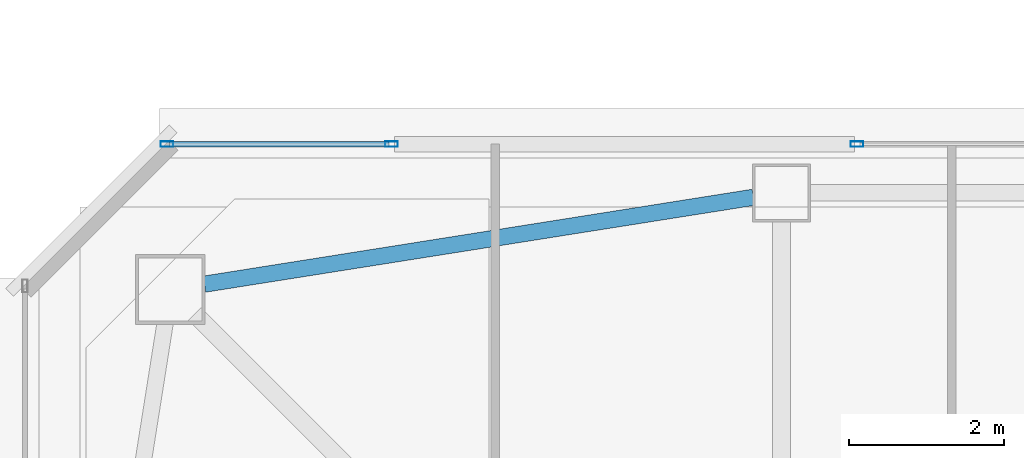
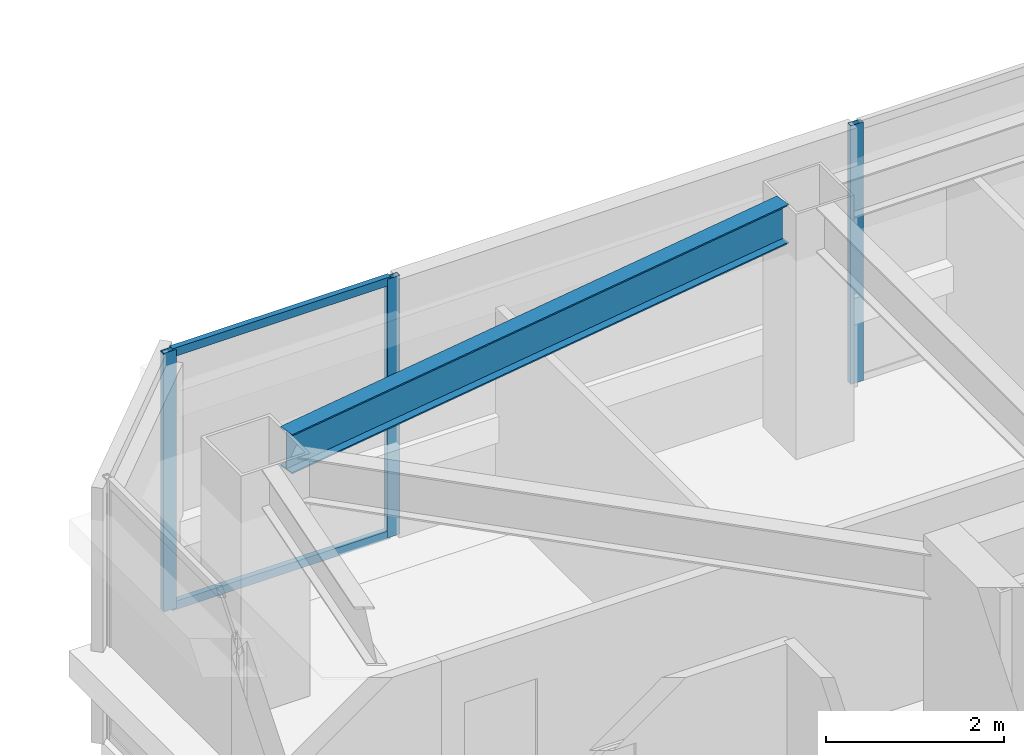
# One storey, part 10 of 31: 5 members, 1 beam, 2 elements without a shape of their own.
"""IFC4 building model written with IfcOpenShell, lengths in metres."""

from ifc_helpers import new_model, si_unit, direction, frame, origin, origin_2d, place, context, subcontext, project, spatial, hollow_rectangle, i_section, extrude, material, material_profile, profile_set, type_object, element, aggregate, save


model = new_model("IFC4")

# Units and contexts
model_context = context("Model", 3, precision=1e-05, world=origin(), true_north=direction((0.0, 1.0)))
body_context = subcontext(model_context, "Body", "Model", "MODEL_VIEW")
ifc_project = project(units=[si_unit("LENGTHUNIT", "METRE"), si_unit("AREAUNIT", "SQUARE_METRE"), si_unit("VOLUMEUNIT", "CUBIC_METRE"), si_unit("PLANEANGLEUNIT", "RADIAN"), si_unit("MASSUNIT", "GRAM", prefix="KILO")], contexts=[model_context])

# Site, building, storey
site_placement = place(None, origin())
site = spatial("IfcSite", under=ifc_project, at=site_placement, CompositionType="ELEMENT")
building_placement = place(site_placement, origin())
building = spatial("IfcBuilding", under=site, at=building_placement, Name="Tashvorn Skyway Center", CompositionType="ELEMENT")
storey_placement = place(building_placement, frame((0.0, 0.0, 266.949951171875)))
storey = spatial("IfcBuildingStorey", under=building, at=storey_placement, Name="L72", CompositionType="ELEMENT", Elevation=266.949951171875)

# Beam
ifc_material_1 = material(Name="Steel ASTM A992 Grade 50", Category="steel")
ifc_material_profile_1 = material_profile(ifc_material_1, i_section(OverallWidth=0.2109375, OverallDepth=0.5390625, WebThickness=0.01171875, FlangeThickness=0.018798828125, at=origin_2d()), Name="W21X73")
ifc_profile_set_1 = profile_set([ifc_material_profile_1], Name="Steel ASTM A992 Grade 50")
beam_type = type_object("IfcBeamType", Name="BM-SPANDREL-W21X73", PredefinedType="SPANDREL", material=ifc_profile_set_1)
beam_placement = place(storey_placement, frame((36.234619140625, 46.4921875, 3.1005859375), z_axis=(-0.987713587978, -0.156274976, 0.0), x_axis=(0.156274976, -0.987713587978, 0.0)))
element("IfcBeam", 1, at=beam_placement, inside=storey, type_object=beam_type, Name="Tower 1 L72 Spandrel Beam 09", PredefinedType="SPANDREL", context=body_context, shape_type="SweptSolid", body=[
    extrude(i_section(OverallWidth=0.2109375, OverallDepth=0.5390625, WebThickness=0.01171875, FlangeThickness=0.018798828125, at=origin_2d()), origin(), (0.0, 0.0, 1.0), 7.18310546875),
])

# Curtain wall, members
ifc_material_2 = material(Name="Thermally broken bronze-anodized aluminium 6063-T6", Category="aluminium")
curtain_wall_type = type_object("IfcCurtainWallType", Name="CW-CW-Z5", PredefinedType="NOTDEFINED", material=ifc_material_2)
curtain_wall_1_placement = place(storey_placement, origin())
curtain_wall_1 = element("IfcCurtainWall", 2, at=curtain_wall_1_placement, inside=storey, type_object=curtain_wall_type, Name="Tower 1 L72 North Unitised Curtain Wall Glazing Group 1", PredefinedType="NOTDEFINED")
ifc_material_profile_2 = material_profile(ifc_material_2, hollow_rectangle(XDim=0.070068359375, YDim=0.1650390625, WallThickness=0.00390625, at=origin_2d()), Name="ALU-MULL-70x165")
ifc_profile_set_2 = profile_set([ifc_material_profile_2], Name="Thermally broken bronze-anodized aluminium 6063-T6")
member_type_1 = type_object("IfcMemberType", Name="CWM-CW-Z5", PredefinedType="MULLION", material=ifc_profile_set_2)
member_1_placement = place(storey_placement, frame((28.655029296875, 47.179931640625, 0.0), z_axis=(0.0, 0.0, 1.0), x_axis=(0.0, 1.0, 0.0)))
member_1 = element("IfcMember", 3, at=member_1_placement, type_object=member_type_1, Name="CW-Z5 mullion 1", PredefinedType="MULLION", context=body_context, shape_type="SweptSolid", body=[
    extrude(hollow_rectangle(XDim=0.070068359375, YDim=0.1650390625, WallThickness=0.00390625, at=origin_2d()), origin(), (0.0, 0.0, 1.0), 3.550048828125),
])
member_2_placement = place(storey_placement, frame((31.558349609375, 47.179931640625, 0.0), z_axis=(0.0, 0.0, 1.0), x_axis=(0.0, 1.0, 0.0)))
member_2 = element("IfcMember", 4, at=member_2_placement, type_object=member_type_1, Name="CW-Z5 mullion 2", PredefinedType="MULLION", context=body_context, shape_type="SweptSolid", body=[
    extrude(hollow_rectangle(XDim=0.070068359375, YDim=0.1650390625, WallThickness=0.00390625, at=origin_2d()), origin(), (0.0, 0.0, 1.0), 3.550048828125),
])

# Curtain wall, member
curtain_wall_2_placement = place(storey_placement, origin())
curtain_wall_2 = element("IfcCurtainWall", 5, at=curtain_wall_2_placement, inside=storey, type_object=curtain_wall_type, Name="Tower 1 L72 North Unitised Curtain Wall Glazing Group 2", PredefinedType="NOTDEFINED")
member_3_placement = place(storey_placement, frame((37.574951171875, 47.179931640625, 0.0), z_axis=(0.0, 0.0, 1.0), x_axis=(0.0, 1.0, 0.0)))
member_3 = element("IfcMember", 6, at=member_3_placement, type_object=member_type_1, Name="CW-Z5 mullion 1", PredefinedType="MULLION", context=body_context, shape_type="SweptSolid", body=[
    extrude(hollow_rectangle(XDim=0.070068359375, YDim=0.1650390625, WallThickness=0.00390625, at=origin_2d()), origin(), (0.0, 0.0, 1.0), 3.550048828125),
])
aggregate(curtain_wall_2, [member_3])

# Member
ifc_material_profile_3 = material_profile(ifc_material_2, hollow_rectangle(XDim=0.070068359375, YDim=0.114990234375, WallThickness=0.00390625, at=origin_2d()), Name="ALU-TRAN-70x115")
ifc_profile_set_3 = profile_set([ifc_material_profile_3], Name="Thermally broken bronze-anodized aluminium 6063-T6")
member_type_2 = type_object("IfcMemberType", Name="CWT-CW-Z5", PredefinedType="USERDEFINED", material=ifc_profile_set_3)
member_4_placement = place(storey_placement, frame((28.68994140625, 47.179931640625, 0.03515625), z_axis=(1.0, 0.0, 0.0), x_axis=(0.0, 1.0, 0.0)))
member_4 = element("IfcMember", 7, at=member_4_placement, type_object=member_type_2, Name="CW-Z5 transom 1.1", ObjectType="TRANSOM", PredefinedType="USERDEFINED", context=body_context, shape_type="SweptSolid", body=[
    extrude(hollow_rectangle(XDim=0.070068359375, YDim=0.114990234375, WallThickness=0.00390625, at=origin_2d()), origin(), (0.0, 0.0, 1.0), 2.833251953125),
])

member_5_placement = place(storey_placement, frame((28.68994140625, 47.179931640625, 3.51513671875), z_axis=(1.0, 0.0, 0.0), x_axis=(0.0, 1.0, 0.0)))
member_5 = element("IfcMember", 8, at=member_5_placement, type_object=member_type_2, Name="CW-Z5 transom 1.2", ObjectType="TRANSOM", PredefinedType="USERDEFINED", context=body_context, shape_type="SweptSolid", body=[
    extrude(hollow_rectangle(XDim=0.070068359375, YDim=0.114990234375, WallThickness=0.00390625, at=origin_2d()), origin(), (0.0, 0.0, 1.0), 2.833251953125),
])

aggregate(curtain_wall_1, [member_1, member_2, member_4, member_5])

save(model, "model.ifc")
